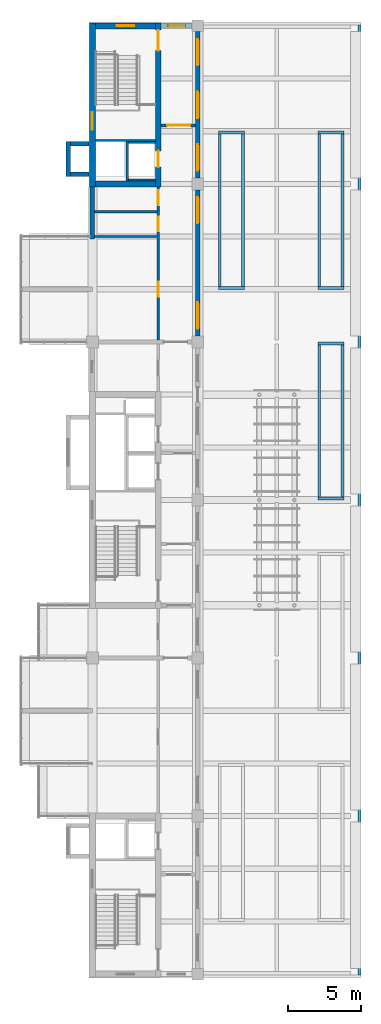
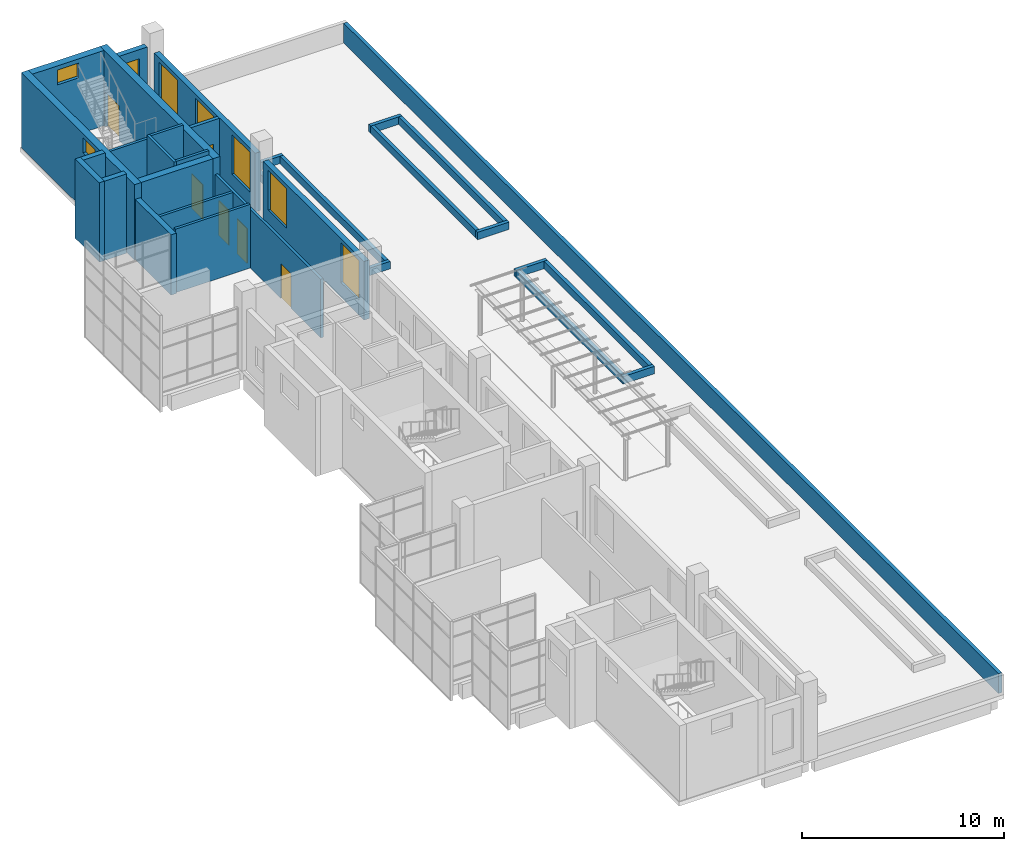
# One storey, part 14 of 16: 32 walls, 8 windows, 6 doors, 14 openings.
"""IFC4 building model written with IfcOpenShell, lengths in metres."""

from ifc_helpers import new_model, si_unit, direction, frame, frame_2d, origin, place, context, subcontext, project, spatial, rectangle, extrude, material, layer, layer_set, type_object, element, fill, save


model = new_model("IFC4")

# Units and contexts
model_context = context("Model", 3, precision=1e-05, world=origin(), true_north=direction((0.0, 1.0)))
body_context = subcontext(model_context, "Body", "Model", "MODEL_VIEW")
ifc_project = project(units=[si_unit("LENGTHUNIT", "METRE"), si_unit("AREAUNIT", "SQUARE_METRE"), si_unit("VOLUMEUNIT", "CUBIC_METRE"), si_unit("PLANEANGLEUNIT", "RADIAN"), si_unit("MASSUNIT", "GRAM", prefix="KILO")], contexts=[model_context])

# Site, building, storey
site_placement = place(None, origin())
site = spatial("IfcSite", under=ifc_project, at=site_placement, CompositionType="ELEMENT")
building_placement = place(site_placement, origin())
building = spatial("IfcBuilding", under=site, at=building_placement, Name="Basin Gate Institute", CompositionType="ELEMENT")
storey_placement = place(building_placement, frame((0.0, 0.0, 65.39990234375)))
storey = spatial("IfcBuildingStorey", under=building, at=storey_placement, Name="L13", CompositionType="ELEMENT", Elevation=65.39990234375)

# Wall, opening, door
ifc_material_1 = material(Name="Fire-rated masonry", Category="masonry")
ifc_layer_1 = layer(ifc_material_1, 0.199951171875)
ifc_layer_set_1 = layer_set([ifc_layer_1], Name="Enclosure wall PW2 200 EI 60")
wall_type_1 = type_object("IfcWallType", Name="Enclosure wall PW2 200 EI 60", PredefinedType="PARTITIONING", material=ifc_layer_set_1)
wall_1_placement = place(storey_placement, frame((65.89990234375, 93.10009765625, 0.0), z_axis=(0.0, 0.0, 1.0), x_axis=(1.0, 0.0, 0.0)))
wall_1 = element("IfcWall", 1, at=wall_1_placement, inside=storey, type_object=wall_type_1, material=ifc_layer_set_1, Name="Smoke lobby enclosure wall PW2 L13", PredefinedType="PARTITIONING", context=body_context, shape_type="SweptSolid", body=[
    extrude(rectangle(XDim=2.35009765625, YDim=0.199951171875, at=frame_2d((1.175048828125, 0.0))), origin(), (0.0, 0.0, 1.0), 3.550048828125),
])
opening_1_placement = place(wall_1_placement, frame((0.39990234375, 0.0, 0.0)))
opening_1 = element("IfcOpeningElement", 2, at=opening_1_placement, cuts=wall_1, Name="Opening DR515", PredefinedType="OPENING", context=body_context, shape_type="SweptSolid", body=[
    extrude(rectangle(XDim=1.60009765625, YDim=2.10009765625, at=frame_2d((0.800048828125, 1.050048828125))), frame((0.0, 0.10986328125, 0.0), z_axis=(0.0, -1.0, 0.0), x_axis=(1.0, 0.0, 0.0)), (0.0, 0.0, 1.0), 0.219970703125),
])
ifc_material_2 = material(Name="Steel fire door", Category="steel")
door_type_1 = type_object("IfcDoorType", Name="FD60 Smoke lobby door pair D8", OperationType="DOUBLE_DOOR_SINGLE_SWING", PredefinedType="DOOR", material=ifc_material_2)
door_1_placement = place(opening_1_placement, origin())
door_1 = element("IfcDoor", 3, at=door_1_placement, inside=storey, type_object=door_type_1, material=ifc_material_2, Name="Smoke lobby door SS3 L13", OperationType="DOUBLE_DOOR_SINGLE_SWING", OverallHeight=2.10009765625, OverallWidth=1.60009765625, PredefinedType="DOOR", context=body_context, shape_type="SweptSolid", body=[
    extrude(rectangle(XDim=1.60009765625, YDim=2.10009765625, at=frame_2d((0.800048828125, 1.050048828125))), frame((0.0, 0.02490234375, 0.0), z_axis=(0.0, -1.0, 0.0), x_axis=(1.0, 0.0, 0.0)), (0.0, 0.0, 1.0), 0.050048828125),
])
fill(opening_1, door_1)

# Wall
ifc_material_3 = material(Name="Aluminium-faced insulated panel wall", Category="aluminium")
ifc_layer_2 = layer(ifc_material_3, 0.300048828125)
ifc_layer_set_2 = layer_set([ifc_layer_2], Name="External wall EW1 EI 120")
wall_type_2 = type_object("IfcWallType", Name="External wall EW1 EI 120", PredefinedType="STANDARD", material=ifc_layer_set_2)
wall_2_placement = place(storey_placement, frame((61.199951171875, 85.35009765625, 0.0), z_axis=(0.0, 0.0, 1.0), x_axis=(0.0, 1.0, 0.0)))
element("IfcWall", 4, at=wall_2_placement, inside=storey, type_object=wall_type_2, material=ifc_layer_set_2, Name="External wall W facade L13 2", PredefinedType="STANDARD", context=body_context, shape_type="SweptSolid", body=[
    extrude(rectangle(XDim=3.5498046875, YDim=0.300048828125, at=frame_2d((1.77490234375, 0.0))), origin(), (0.0, 0.0, 1.0), 3.650146484375),
])

# Wall, opening, window
wall_3_placement = place(storey_placement, frame((65.89990234375, 99.89990234375, 0.0), z_axis=(0.0, 0.0, 1.0), x_axis=(1.0, 0.0, 0.0)))
wall_3 = element("IfcWall", 5, at=wall_3_placement, inside=storey, type_object=wall_type_2, material=ifc_layer_set_2, Name="External end wall W wing north L13 1", PredefinedType="STANDARD", context=body_context, shape_type="SweptSolid", body=[
    extrude(rectangle(XDim=2.10009765625, YDim=0.300048828125, at=frame_2d((1.050048828125, 0.0))), origin(), (0.0, 0.0, 1.0), 3.85009765625),
])
opening_2_placement = place(wall_3_placement, frame((0.449951171875, 0.0, 0.89990234375)))
opening_2 = element("IfcOpeningElement", 6, at=opening_2_placement, cuts=wall_3, Name="Opening WN4", PredefinedType="OPENING", context=body_context, shape_type="SweptSolid", body=[
    extrude(rectangle(XDim=1.199951171875, YDim=2.39990234375, at=frame_2d((0.60009765625, 1.199951171875))), frame((0.0, 0.16015625, 0.0), z_axis=(0.0, -1.0, 0.0), x_axis=(1.0, 0.0, 0.0)), (0.0, 0.0, 1.0), 0.320068359375),
])
ifc_material_4 = material(Name="Aluminium-framed double glazing", Category="aluminium")
window_type_1 = type_object("IfcWindowType", Name="Corridor end window WN4", PartitioningType="SINGLE_PANEL", PredefinedType="WINDOW", material=ifc_material_4)
window_1_placement = place(opening_2_placement, origin())
window_1 = element("IfcWindow", 7, at=window_1_placement, inside=storey, type_object=window_type_1, material=ifc_material_4, Name="Corridor end window W wing N L13", OverallHeight=2.39990234375, OverallWidth=1.199951171875, PartitioningType="SINGLE_PANEL", PredefinedType="WINDOW", context=body_context, shape_type="SweptSolid", body=[
    extrude(rectangle(XDim=1.199951171875, YDim=2.39990234375, at=frame_2d((0.60009765625, 1.199951171875))), frame((0.0, 0.030029296875, 0.0), z_axis=(0.0, -1.0, 0.0), x_axis=(1.0, 0.0, 0.0)), (0.0, 0.0, 1.0), 0.06005859375),
])
fill(opening_2, window_1)

# Wall, openings, windows
wall_4_placement = place(storey_placement, frame((68.39990234375, 78.699951171875, 0.0), z_axis=(0.0, 0.0, 1.0), x_axis=(0.0, 1.0, 0.0)))
wall_4 = element("IfcWall", 8, at=wall_4_placement, inside=storey, type_object=wall_type_2, material=ifc_layer_set_2, Name="External wall W step face L13 bay 5", PredefinedType="STANDARD", context=body_context, shape_type="SweptSolid", body=[
    extrude(rectangle(XDim=10.0, YDim=0.300048828125, at=frame_2d((5.0, 0.0))), origin(), (0.0, 0.0, 1.0), 3.550048828125),
])
opening_3_placement = place(wall_4_placement, frame((0.5, 0.0, 0.89990234375)))
opening_3 = element("IfcOpeningElement", 9, at=opening_3_placement, cuts=wall_4, Name="Opening WN1", PredefinedType="OPENING", context=body_context, shape_type="SweptSolid", body=[
    extrude(rectangle(XDim=1.800048828125, YDim=2.39990234375, at=frame_2d((0.89990234375, 1.199951171875))), frame((0.0, 0.16015625, 0.0), z_axis=(0.0, -1.0, 0.0), x_axis=(1.0, 0.0, 0.0)), (0.0, 0.0, 1.0), 0.320068359375),
])
opening_4_placement = place(wall_4_placement, frame((7.699951171875, 0.0, 0.89990234375)))
opening_4 = element("IfcOpeningElement", 10, at=opening_4_placement, cuts=wall_4, Name="Opening WN1", PredefinedType="OPENING", context=body_context, shape_type="SweptSolid", body=[
    extrude(rectangle(XDim=1.800048828125, YDim=2.39990234375, at=frame_2d((0.89990234375, 1.199951171875))), frame((0.0, 0.16015625, 0.0), z_axis=(0.0, -1.0, 0.0), x_axis=(1.0, 0.0, 0.0)), (0.0, 0.0, 1.0), 0.320068359375),
])
ifc_material_5 = material(Name="Aluminium-framed double glazing", Category="aluminium")
window_type_2 = type_object("IfcWindowType", Name="Facade window WN1", PartitioningType="SINGLE_PANEL", PredefinedType="WINDOW", material=ifc_material_5)
window_2_placement = place(opening_3_placement, origin())
window_2 = element("IfcWindow", 11, at=window_2_placement, inside=storey, type_object=window_type_2, material=ifc_material_5, Name="Facade window W step face L13 bay 5.1", OverallHeight=2.39990234375, OverallWidth=1.800048828125, PartitioningType="SINGLE_PANEL", PredefinedType="WINDOW", context=body_context, shape_type="SweptSolid", body=[
    extrude(rectangle(XDim=1.800048828125, YDim=2.39990234375, at=frame_2d((0.89990234375, 1.199951171875))), frame((0.0, 0.030029296875, 0.0), z_axis=(0.0, -1.0, 0.0), x_axis=(1.0, 0.0, 0.0)), (0.0, 0.0, 1.0), 0.06005859375),
])
fill(opening_3, window_2)
window_3_placement = place(opening_4_placement, origin())
window_3 = element("IfcWindow", 12, at=window_3_placement, inside=storey, type_object=window_type_2, material=ifc_material_5, Name="Facade window W step face L13 bay 5.3", OverallHeight=2.39990234375, OverallWidth=1.800048828125, PartitioningType="SINGLE_PANEL", PredefinedType="WINDOW", context=body_context, shape_type="SweptSolid", body=[
    extrude(rectangle(XDim=1.800048828125, YDim=2.39990234375, at=frame_2d((0.89990234375, 1.199951171875))), frame((0.0, 0.030029296875, 0.0), z_axis=(0.0, -1.0, 0.0), x_axis=(1.0, 0.0, 0.0)), (0.0, 0.0, 1.0), 0.06005859375),
])
fill(opening_4, window_3)

ifc_material_6 = material(Name="Aluminium-faced insulated panel wall", Category="aluminium")
ifc_layer_3 = layer(ifc_material_6, 0.300048828125)
ifc_layer_set_3 = layer_set([ifc_layer_3], Name="External wall EW5 EI 60")
wall_type_3 = type_object("IfcWallType", Name="External wall EW5 EI 60", PredefinedType="STANDARD", material=ifc_layer_set_3)
wall_5_placement = place(storey_placement, frame((68.39990234375, 89.5, 0.0), z_axis=(0.0, 0.0, 1.0), x_axis=(0.0, 1.0, 0.0)))
wall_5 = element("IfcWall", 13, at=wall_5_placement, inside=storey, type_object=wall_type_3, material=ifc_layer_set_3, Name="External wall W step face L13 bay 6", PredefinedType="STANDARD", context=body_context, shape_type="SweptSolid", body=[
    extrude(rectangle(XDim=10.0, YDim=0.300048828125, at=frame_2d((5.0, 0.0))), origin(), (0.0, 0.0, 1.0), 3.550048828125),
])
opening_5_placement = place(wall_5_placement, frame((0.5, 0.0, 0.89990234375)))
opening_5 = element("IfcOpeningElement", 14, at=opening_5_placement, cuts=wall_5, Name="Opening WN6", PredefinedType="OPENING", context=body_context, shape_type="SweptSolid", body=[
    extrude(rectangle(XDim=1.800048828125, YDim=2.39990234375, at=frame_2d((0.89990234375, 1.199951171875))), frame((0.0, 0.16015625, 0.0), z_axis=(0.0, -1.0, 0.0), x_axis=(1.0, 0.0, 0.0)), (0.0, 0.0, 1.0), 0.320068359375),
])
opening_6_placement = place(wall_5_placement, frame((4.10009765625, 0.0, 0.89990234375)))
opening_6 = element("IfcOpeningElement", 15, at=opening_6_placement, cuts=wall_5, Name="Opening WN6", PredefinedType="OPENING", context=body_context, shape_type="SweptSolid", body=[
    extrude(rectangle(XDim=1.800048828125, YDim=2.39990234375, at=frame_2d((0.89990234375, 1.199951171875))), frame((0.0, 0.16015625, 0.0), z_axis=(0.0, -1.0, 0.0), x_axis=(1.0, 0.0, 0.0)), (0.0, 0.0, 1.0), 0.320068359375),
])
opening_7_placement = place(wall_5_placement, frame((7.699951171875, 0.0, 0.89990234375)))
opening_7 = element("IfcOpeningElement", 16, at=opening_7_placement, cuts=wall_5, Name="Opening WN6", PredefinedType="OPENING", context=body_context, shape_type="SweptSolid", body=[
    extrude(rectangle(XDim=1.800048828125, YDim=2.39990234375, at=frame_2d((0.89990234375, 1.199951171875))), frame((0.0, 0.16015625, 0.0), z_axis=(0.0, -1.0, 0.0), x_axis=(1.0, 0.0, 0.0)), (0.0, 0.0, 1.0), 0.320068359375),
])
ifc_material_7 = material(Name="Fire-resistant glazing in steel-free frame", Category="steel")
window_type_3 = type_object("IfcWindowType", Name="Fire-rated fixed step window WN6", PartitioningType="SINGLE_PANEL", PredefinedType="WINDOW", material=ifc_material_7)
window_4_placement = place(opening_5_placement, origin())
window_4 = element("IfcWindow", 17, at=window_4_placement, inside=storey, type_object=window_type_3, material=ifc_material_7, Name="Fire-rated fixed step window W step face L13 bay 6.1", OverallHeight=2.39990234375, OverallWidth=1.800048828125, PartitioningType="SINGLE_PANEL", PredefinedType="WINDOW", context=body_context, shape_type="SweptSolid", body=[
    extrude(rectangle(XDim=1.800048828125, YDim=2.39990234375, at=frame_2d((0.89990234375, 1.199951171875))), frame((0.0, 0.030029296875, 0.0), z_axis=(0.0, -1.0, 0.0), x_axis=(1.0, 0.0, 0.0)), (0.0, 0.0, 1.0), 0.06005859375),
])
fill(opening_5, window_4)
window_5_placement = place(opening_6_placement, origin())
window_5 = element("IfcWindow", 18, at=window_5_placement, inside=storey, type_object=window_type_3, material=ifc_material_7, Name="Fire-rated fixed step window W step face L13 bay 6.2", OverallHeight=2.39990234375, OverallWidth=1.800048828125, PartitioningType="SINGLE_PANEL", PredefinedType="WINDOW", context=body_context, shape_type="SweptSolid", body=[
    extrude(rectangle(XDim=1.800048828125, YDim=2.39990234375, at=frame_2d((0.89990234375, 1.199951171875))), frame((0.0, 0.030029296875, 0.0), z_axis=(0.0, -1.0, 0.0), x_axis=(1.0, 0.0, 0.0)), (0.0, 0.0, 1.0), 0.06005859375),
])
fill(opening_6, window_5)
window_6_placement = place(opening_7_placement, origin())
window_6 = element("IfcWindow", 19, at=window_6_placement, inside=storey, type_object=window_type_3, material=ifc_material_7, Name="Fire-rated fixed step window W step face L13 bay 6.3", OverallHeight=2.39990234375, OverallWidth=1.800048828125, PartitioningType="SINGLE_PANEL", PredefinedType="WINDOW", context=body_context, shape_type="SweptSolid", body=[
    extrude(rectangle(XDim=1.800048828125, YDim=2.39990234375, at=frame_2d((0.89990234375, 1.199951171875))), frame((0.0, 0.030029296875, 0.0), z_axis=(0.0, -1.0, 0.0), x_axis=(1.0, 0.0, 0.0)), (0.0, 0.0, 1.0), 0.06005859375),
])
fill(opening_7, window_6)

# Wall
ifc_material_8 = material(Name="Concrete 40 MPa", Category="concrete")
ifc_layer_4 = layer(ifc_material_8, 0.199951171875)
ifc_layer_set_4 = layer_set([ifc_layer_4], Name="Concrete 40 MPa")
wall_type_4 = type_object("IfcWallType", Name="Parapet wall PA1", PredefinedType="PARAPET", material=ifc_layer_set_4)
wall_6_placement = place(storey_placement, frame((79.449951171875, 99.949951171875, 0.0), z_axis=(0.0, 0.0, 1.0), x_axis=(0.0, -1.0, 0.0)))
element("IfcWall", 20, at=wall_6_placement, inside=storey, type_object=wall_type_4, material=ifc_layer_set_4, Name="Parapet wall PA1 L13 W2", PredefinedType="PARAPET", context=body_context, shape_type="SweptSolid", body=[
    extrude(rectangle(XDim=64.89990234375, YDim=0.199951171875, at=frame_2d((32.449951171875, 0.0))), origin(), (0.0, 0.0, 1.0), 1.2001953125),
])

# Wall, openings, doors
ifc_material_9 = material(Name="Gypsum board on steel stud", Category="steel")
ifc_layer_5 = layer(ifc_material_9, 0.14990234375)
ifc_layer_set_5 = layer_set([ifc_layer_5], Name="Gypsum board on steel stud")
wall_type_5 = type_object("IfcWallType", Name="Partition PW1 150 EI 60", PredefinedType="PARTITIONING", material=ifc_layer_set_5)
wall_7_placement = place(storey_placement, frame((65.699951171875, 78.449951171875, 0.0), z_axis=(0.0, 0.0, 1.0), x_axis=(0.0, 1.0, 0.0)))
wall_7 = element("IfcWall", 21, at=wall_7_placement, inside=storey, type_object=wall_type_5, material=ifc_layer_set_5, Name="Corridor wall PW1 L13", PredefinedType="PARTITIONING", context=body_context, shape_type="SweptSolid", body=[
    extrude(rectangle(XDim=10.449951171875, YDim=0.14990234375, at=frame_2d((5.22509765625, 0.0))), origin(), (0.0, 0.0, 1.0), 3.550048828125),
])
opening_8_placement = place(wall_7_placement, frame((7.39990234375, 0.0, 0.0)))
opening_8 = element("IfcOpeningElement", 22, at=opening_8_placement, cuts=wall_7, Name="Opening DR505", PredefinedType="OPENING", context=body_context, shape_type="SweptSolid", body=[
    extrude(rectangle(XDim=1.0, YDim=2.10009765625, at=frame_2d((0.5, 1.050048828125))), frame((0.0, 0.0849609375, 0.0), z_axis=(0.0, -1.0, 0.0), x_axis=(1.0, 0.0, 0.0)), (0.0, 0.0, 1.0), 0.169921875),
])
opening_9_placement = place(wall_7_placement, frame((9.199951171875, 0.0, 0.0)))
opening_9 = element("IfcOpeningElement", 23, at=opening_9_placement, cuts=wall_7, Name="Opening DR508", PredefinedType="OPENING", context=body_context, shape_type="SweptSolid", body=[
    extrude(rectangle(XDim=1.0, YDim=2.10009765625, at=frame_2d((0.5, 1.050048828125))), frame((0.0, 0.0849609375, 0.0), z_axis=(0.0, -1.0, 0.0), x_axis=(1.0, 0.0, 0.0)), (0.0, 0.0, 1.0), 0.169921875),
])
opening_10_placement = place(wall_7_placement, frame((2.949951171875, 0.0, 0.0)))
opening_10 = element("IfcOpeningElement", 24, at=opening_10_placement, cuts=wall_7, Name="Opening DR509", PredefinedType="OPENING", context=body_context, shape_type="SweptSolid", body=[
    extrude(rectangle(XDim=1.0, YDim=2.10009765625, at=frame_2d((0.5, 1.050048828125))), frame((0.0, 0.0849609375, 0.0), z_axis=(0.0, -1.0, 0.0), x_axis=(1.0, 0.0, 0.0)), (0.0, 0.0, 1.0), 0.169921875),
])
ifc_material_10 = material(Name="Timber fire door", Category="wood")
door_type_2 = type_object("IfcDoorType", Name="FD30 Office door D1", OperationType="NOTDEFINED", PredefinedType="DOOR", material=ifc_material_10)
door_2_placement = place(opening_10_placement, origin())
door_2 = element("IfcDoor", 25, at=door_2_placement, inside=storey, type_object=door_type_2, material=ifc_material_10, Name="Door to Meeting Room 1304 L13", OperationType="SINGLE_SWING_LEFT", OverallHeight=2.10009765625, OverallWidth=1.0, PredefinedType="DOOR", context=body_context, shape_type="SweptSolid", body=[
    extrude(rectangle(XDim=1.0, YDim=2.10009765625, at=frame_2d((0.5, 1.050048828125))), frame((0.0, 0.02490234375, 0.0), z_axis=(0.0, -1.0, 0.0), x_axis=(1.0, 0.0, 0.0)), (0.0, 0.0, 1.0), 0.050048828125),
])
fill(opening_10, door_2)
ifc_material_11 = material(Name="Timber fire door", Category="wood")
door_type_3 = type_object("IfcDoorType", Name="FD30 Toilet door D3", OperationType="NOTDEFINED", PredefinedType="DOOR", material=ifc_material_11)
door_3_placement = place(opening_8_placement, origin())
door_3 = element("IfcDoor", 26, at=door_3_placement, inside=storey, type_object=door_type_3, material=ifc_material_11, Name="Door to Accessible WC L13", OperationType="SINGLE_SWING_RIGHT", OverallHeight=2.10009765625, OverallWidth=1.0, PredefinedType="DOOR", context=body_context, shape_type="SweptSolid", body=[
    extrude(rectangle(XDim=1.0, YDim=2.10009765625, at=frame_2d((0.5, 1.050048828125))), frame((0.0, 0.02490234375, 0.0), z_axis=(0.0, -1.0, 0.0), x_axis=(1.0, 0.0, 0.0)), (0.0, 0.0, 1.0), 0.050048828125),
])
fill(opening_8, door_3)
door_4_placement = place(opening_9_placement, origin())
door_4 = element("IfcDoor", 27, at=door_4_placement, inside=storey, type_object=door_type_3, material=ifc_material_11, Name="Door to Male WC L13", OperationType="SINGLE_SWING_RIGHT", OverallHeight=2.10009765625, OverallWidth=1.0, PredefinedType="DOOR", context=body_context, shape_type="SweptSolid", body=[
    extrude(rectangle(XDim=1.0, YDim=2.10009765625, at=frame_2d((0.5, 1.050048828125))), frame((0.0, 0.02490234375, 0.0), z_axis=(0.0, -1.0, 0.0), x_axis=(1.0, 0.0, 0.0)), (0.0, 0.0, 1.0), 0.050048828125),
])
fill(opening_9, door_4)

# Walls
ifc_material_12 = material(Name="Gypsum board on steel stud", Category="steel")
ifc_layer_6 = layer(ifc_material_12, 0.14990234375)
ifc_layer_set_6 = layer_set([ifc_layer_6], Name="Gypsum board on steel stud")
wall_type_6 = type_object("IfcWallType", Name="Partition PW4 150", PredefinedType="PARTITIONING", material=ifc_layer_set_6)
wall_8_placement = place(storey_placement, frame((61.35009765625, 85.5, 0.0), z_axis=(0.0, 0.0, 1.0), x_axis=(1.0, 0.0, 0.0)))
element("IfcWall", 28, at=wall_8_placement, inside=storey, type_object=wall_type_6, material=ifc_layer_set_6, Name="Toilet partition PW4 L13", PredefinedType="PARTITIONING", context=body_context, shape_type="SweptSolid", body=[
    extrude(rectangle(XDim=4.27490234375, YDim=0.14990234375, at=frame_2d((2.137451171875, 0.0))), origin(), (0.0, 0.0, 1.0), 3.85009765625),
])
wall_9_placement = place(storey_placement, frame((61.35009765625, 87.199951171875, 0.0), z_axis=(0.0, 0.0, 1.0), x_axis=(1.0, 0.0, 0.0)))
element("IfcWall", 29, at=wall_9_placement, inside=storey, type_object=wall_type_6, material=ifc_layer_set_6, Name="Toilet partition PW4 L13", PredefinedType="PARTITIONING", context=body_context, shape_type="SweptSolid", body=[
    extrude(rectangle(XDim=4.27490234375, YDim=0.14990234375, at=frame_2d((2.137451171875, 0.0))), origin(), (0.0, 0.0, 1.0), 3.550048828125),
])
ifc_material_13 = material(Name="Concrete 40 MPa", Category="concrete")
ifc_layer_7 = layer(ifc_material_13, 0.199951171875)
ifc_layer_set_7 = layer_set([ifc_layer_7], Name="Concrete 40 MPa")
wall_type_7 = type_object("IfcWallType", Name="Planter wall PT1", PredefinedType="SOLIDWALL", material=ifc_layer_set_7)
for number, where, z_axis, x_axis, name in (
    (30, (76.60009765625, 67.60009765625, 0.0), (0.0, 0.0, 1.0), (1.0, 0.0, 0.0), "Planter wall PT1 W3"),
    (31, (76.60009765625, 78.199951171875, 0.0), (0.0, 0.0, 1.0), (1.0, 0.0, 0.0), "Planter wall PT1 W3"),
):
    element("IfcWall", number, at=place(storey_placement, frame(where, z_axis=z_axis, x_axis=x_axis)), inside=storey, type_object=wall_type_7, material=ifc_layer_set_7, Name=name, PredefinedType="SOLIDWALL", context=body_context, shape_type="SweptSolid", body=[
        extrude(rectangle(XDim=1.7998046875, YDim=0.199951171875, at=frame_2d((0.89990234375, 0.0))), origin(), (0.0, 0.0, 1.0), 0.4501953125),
    ])
for number, where, z_axis, x_axis, name in (
    (32, (76.699951171875, 67.699951171875, 0.0), (0.0, 0.0, 1.0), (0.0, 1.0, 0.0), "Planter wall PT1 W3"),
    (33, (78.300048828125, 67.699951171875, 0.0), (0.0, 0.0, 1.0), (0.0, 1.0, 0.0), "Planter wall PT1 W3"),
):
    element("IfcWall", number, at=place(storey_placement, frame(where, z_axis=z_axis, x_axis=x_axis)), inside=storey, type_object=wall_type_7, material=ifc_layer_set_7, Name=name, PredefinedType="SOLIDWALL", context=body_context, shape_type="SweptSolid", body=[
        extrude(rectangle(XDim=10.400146484375, YDim=0.199951171875, at=frame_2d((5.2001953125, 0.0))), origin(), (0.0, 0.0, 1.0), 0.4501953125),
    ])
for number, where, z_axis, x_axis, name in (
    (34, (76.60009765625, 82.0, 0.0), (0.0, 0.0, 1.0), (1.0, 0.0, 0.0), "Planter wall PT1 W4"),
    (35, (76.60009765625, 92.60009765625, 0.0), (0.0, 0.0, 1.0), (1.0, 0.0, 0.0), "Planter wall PT1 W4"),
):
    element("IfcWall", number, at=place(storey_placement, frame(where, z_axis=z_axis, x_axis=x_axis)), inside=storey, type_object=wall_type_7, material=ifc_layer_set_7, Name=name, PredefinedType="SOLIDWALL", context=body_context, shape_type="SweptSolid", body=[
        extrude(rectangle(XDim=1.7998046875, YDim=0.199951171875, at=frame_2d((0.89990234375, 0.0))), origin(), (0.0, 0.0, 1.0), 0.4501953125),
    ])
for number, where, z_axis, x_axis, name in (
    (36, (76.699951171875, 82.10009765625, 0.0), (0.0, 0.0, 1.0), (0.0, 1.0, 0.0), "Planter wall PT1 W4"),
    (37, (78.300048828125, 82.10009765625, 0.0), (0.0, 0.0, 1.0), (0.0, 1.0, 0.0), "Planter wall PT1 W4"),
):
    element("IfcWall", number, at=place(storey_placement, frame(where, z_axis=z_axis, x_axis=x_axis)), inside=storey, type_object=wall_type_7, material=ifc_layer_set_7, Name=name, PredefinedType="SOLIDWALL", context=body_context, shape_type="SweptSolid", body=[
        extrude(rectangle(XDim=10.39990234375, YDim=0.199951171875, at=frame_2d((5.199951171875, 0.0))), origin(), (0.0, 0.0, 1.0), 0.4501953125),
    ])
for number, where, z_axis, x_axis, name in (
    (38, (69.800048828125, 82.0, 0.0), (0.0, 0.0, 1.0), (1.0, 0.0, 0.0), "Planter wall PT1 W6"),
    (39, (69.800048828125, 92.60009765625, 0.0), (0.0, 0.0, 1.0), (1.0, 0.0, 0.0), "Planter wall PT1 W6"),
):
    element("IfcWall", number, at=place(storey_placement, frame(where, z_axis=z_axis, x_axis=x_axis)), inside=storey, type_object=wall_type_7, material=ifc_layer_set_7, Name=name, PredefinedType="SOLIDWALL", context=body_context, shape_type="SweptSolid", body=[
        extrude(rectangle(XDim=1.800048828125, YDim=0.199951171875, at=frame_2d((0.89990234375, 0.0))), origin(), (0.0, 0.0, 1.0), 0.4501953125),
    ])
for number, where, z_axis, x_axis, name in (
    (40, (69.89990234375, 82.10009765625, 0.0), (0.0, 0.0, 1.0), (0.0, 1.0, 0.0), "Planter wall PT1 W6"),
    (41, (71.5, 82.10009765625, 0.0), (0.0, 0.0, 1.0), (0.0, 1.0, 0.0), "Planter wall PT1 W6"),
):
    element("IfcWall", number, at=place(storey_placement, frame(where, z_axis=z_axis, x_axis=x_axis)), inside=storey, type_object=wall_type_7, material=ifc_layer_set_7, Name=name, PredefinedType="SOLIDWALL", context=body_context, shape_type="SweptSolid", body=[
        extrude(rectangle(XDim=10.39990234375, YDim=0.199951171875, at=frame_2d((5.199951171875, 0.0))), origin(), (0.0, 0.0, 1.0), 0.4501953125),
    ])
ifc_material_14 = material(Name="Concrete 40 MPa", Category="concrete")
ifc_layer_8 = layer(ifc_material_14, 0.14990234375)
ifc_layer_set_8 = layer_set([ifc_layer_8], Name="Concrete 40 MPa")
wall_type_8 = type_object("IfcWallType", Name="Wall LS1 lift shaft enclosure R120", PredefinedType="SOLIDWALL", material=ifc_layer_set_8)
wall_10_placement = place(storey_placement, frame((63.574951171875, 92.0, 0.0), z_axis=(0.0, 0.0, 1.0), x_axis=(0.0, -1.0, 0.0)))
element("IfcWall", 42, at=wall_10_placement, inside=storey, type_object=wall_type_8, material=ifc_layer_set_8, Name="Lift shaft enclosure LP3 L13 UL", PredefinedType="SOLIDWALL", context=body_context, shape_type="SweptSolid", body=[
    extrude(rectangle(XDim=2.699951171875, YDim=0.14990234375, at=frame_2d((1.35009765625, 0.0))), origin(), (0.0, 0.0, 1.0), 4.800048828125),
])
for number, where, z_axis, x_axis, name in (
    (43, (63.64990234375, 91.925048828125, 0.0), (0.0, 0.0, 1.0), (1.0, 0.0, 0.0), "Lift shaft enclosure LP3 L13 RL"),
    (44, (63.64990234375, 89.375, 0.0), (0.0, 0.0, 1.0), (1.0, 0.0, 0.0), "Lift shaft enclosure LP3 L13 RH"),
):
    element("IfcWall", number, at=place(storey_placement, frame(where, z_axis=z_axis, x_axis=x_axis)), inside=storey, type_object=wall_type_8, material=ifc_layer_set_8, Name=name, PredefinedType="SOLIDWALL", context=body_context, shape_type="SweptSolid", body=[
        extrude(rectangle(XDim=1.85009765625, YDim=0.14990234375, at=frame_2d((0.925048828125, 0.0))), origin(), (0.0, 0.0, 1.0), 4.800048828125),
    ])
ifc_material_15 = material(Name="Concrete 40 MPa", Category="concrete")
ifc_layer_9 = layer(ifc_material_15, 0.14990234375)
ifc_layer_set_9 = layer_set([ifc_layer_9], Name="Concrete 40 MPa")
wall_type_9 = type_object("IfcWallType", Name="Wall SE1 stair enclosure R120", PredefinedType="SOLIDWALL", material=ifc_layer_set_9)
wall_11_placement = place(storey_placement, frame((61.39990234375, 92.074951171875, 0.0), z_axis=(0.0, 0.0, 1.0), x_axis=(1.0, 0.0, 0.0)))
element("IfcWall", 45, at=wall_11_placement, inside=storey, type_object=wall_type_9, material=ifc_layer_set_9, Name="Stair enclosure wall ST-WN L13", PredefinedType="SOLIDWALL", context=body_context, shape_type="SweptSolid", body=[
    extrude(rectangle(XDim=4.10009765625, YDim=0.14990234375, at=frame_2d((2.050048828125, 0.0))), origin(), (0.0, 0.0, 1.0), 4.550048828125),
])
ifc_material_16 = material(Name="Concrete 50 MPa", Category="concrete")
ifc_layer_10 = layer(ifc_material_16, 0.300048828125)
ifc_layer_set_10 = layer_set([ifc_layer_10], Name="Concrete 50 MPa")
wall_type_10 = type_object("IfcWallType", Name="Wall SK1 R120", PredefinedType="SHEAR", material=ifc_layer_set_10)
wall_12_placement = place(storey_placement, frame((59.550048828125, 89.60009765625, 0.0), z_axis=(0.0, 0.0, 1.0), x_axis=(0.0, 1.0, 0.0)))
element("IfcWall", 46, at=wall_12_placement, inside=storey, type_object=wall_type_10, material=ifc_layer_set_10, Name="Spine riser stack wall SK1 WN F L13", PredefinedType="SHEAR", context=body_context, shape_type="SweptSolid", body=[
    extrude(rectangle(XDim=2.39990234375, YDim=0.300048828125, at=frame_2d((1.199951171875, 0.0))), origin(), (0.0, 0.0, 1.0), 4.800048828125),
])
for number, where, z_axis, x_axis, name in (
    (47, (60.949951171875, 89.75, 0.0), (0.0, 0.0, 1.0), (-1.0, 0.0, 0.0), "Spine riser stack wall SK1 WN A L13"),
    (48, (60.949951171875, 91.85009765625, 0.0), (0.0, 0.0, 1.0), (-1.0, 0.0, 0.0), "Spine riser stack wall SK1 WN B L13"),
):
    element("IfcWall", number, at=place(storey_placement, frame(where, z_axis=z_axis, x_axis=x_axis)), inside=storey, type_object=wall_type_10, material=ifc_layer_set_10, Name=name, PredefinedType="SHEAR", context=body_context, shape_type="SweptSolid", body=[
        extrude(rectangle(XDim=1.25, YDim=0.300048828125, at=frame_2d((0.625, 0.0))), origin(), (0.0, 0.0, 1.0), 4.800048828125),
    ])

# Wall, opening, window
ifc_material_17 = material(Name="Concrete 50 MPa", Category="concrete")
ifc_layer_11 = layer(ifc_material_17, 0.39990234375)
ifc_layer_set_11 = layer_set([ifc_layer_11], Name="Concrete 50 MPa")
wall_type_11 = type_object("IfcWallType", Name="Wall SW2 R120", PredefinedType="SHEAR", material=ifc_layer_set_11)
wall_13_placement = place(storey_placement, frame((61.199951171875, 88.89990234375, 0.0), z_axis=(0.0, 0.0, 1.0), x_axis=(0.0, 1.0, 0.0)))
wall_13 = element("IfcWall", 49, at=wall_13_placement, inside=storey, type_object=wall_type_11, material=ifc_layer_set_11, Name="WALL/L13/WN/L", PredefinedType="SHEAR", context=body_context, shape_type="SweptSolid", body=[
    extrude(rectangle(XDim=11.2001953125, YDim=0.39990234375, at=frame_2d((5.60009765625, 0.0))), origin(), (0.0, 0.0, 1.0), 4.550048828125),
])
opening_11_placement = place(wall_13_placement, frame((3.889892578125, 0.0, 3.39990234375)))
opening_11 = element("IfcOpeningElement", 50, at=opening_11_placement, cuts=wall_13, Name="Opening WT2", PredefinedType="OPENING", context=body_context, shape_type="SweptSolid", body=[
    extrude(rectangle(XDim=1.199951171875, YDim=0.89990234375, at=frame_2d((0.60009765625, 0.449951171875))), frame((0.0, 0.2099609375, 0.0), z_axis=(0.0, -1.0, 0.0), x_axis=(1.0, 0.0, 0.0)), (0.0, 0.0, 1.0), 0.419921875),
])
ifc_material_18 = material(Name="Fire-resistant glazing in steel-free frame", Category="steel")
window_type_4 = type_object("IfcWindowType", Name="Rated stair window EI 120 WT2", PartitioningType="SINGLE_PANEL", PredefinedType="WINDOW", material=ifc_material_18)
window_7_placement = place(opening_11_placement, origin())
window_7 = element("IfcWindow", 51, at=window_7_placement, inside=storey, type_object=window_type_4, material=ifc_material_18, Name="Rated stair window EI 120 WN landing L13", OverallHeight=0.89990234375, OverallWidth=1.199951171875, PartitioningType="SINGLE_PANEL", PredefinedType="WINDOW", context=body_context, shape_type="SweptSolid", body=[
    extrude(rectangle(XDim=1.199951171875, YDim=0.89990234375, at=frame_2d((0.60009765625, 0.449951171875))), frame((0.0, 0.030029296875, 0.0), z_axis=(0.0, -1.0, 0.0), x_axis=(1.0, 0.0, 0.0)), (0.0, 0.0, 1.0), 0.06005859375),
])
fill(opening_11, window_7)

# Wall, openings, doors
wall_14_placement = place(storey_placement, frame((65.699951171875, 88.89990234375, 0.0), z_axis=(0.0, 0.0, 1.0), x_axis=(0.0, 1.0, 0.0)))
wall_14 = element("IfcWall", 52, at=wall_14_placement, inside=storey, type_object=wall_type_11, material=ifc_layer_set_11, Name="WALL/L13/WN/C", PredefinedType="SHEAR", context=body_context, shape_type="SweptSolid", body=[
    extrude(rectangle(XDim=11.2001953125, YDim=0.39990234375, at=frame_2d((5.60009765625, 0.0))), origin(), (0.0, 0.0, 1.0), 4.550048828125),
])
opening_12_placement = place(wall_14_placement, frame((9.300048828125, 0.0, 0.0)))
opening_12 = element("IfcOpeningElement", 53, at=opening_12_placement, cuts=wall_14, Name="Opening DS069", PredefinedType="OPENING", context=body_context, shape_type="SweptSolid", body=[
    extrude(rectangle(XDim=1.39990234375, YDim=2.10009765625, at=frame_2d((0.699951171875, 1.050048828125))), frame((0.0, 0.2099609375, 0.0), z_axis=(0.0, -1.0, 0.0), x_axis=(1.0, 0.0, 0.0)), (0.0, 0.0, 1.0), 0.419921875),
])
opening_13_placement = place(wall_14_placement, frame((1.35009765625, 0.0, 0.0)))
opening_13 = element("IfcOpeningElement", 54, at=opening_13_placement, cuts=wall_14, Name="Opening LD068", PredefinedType="OPENING", context=body_context, shape_type="SweptSolid", body=[
    extrude(rectangle(XDim=1.10009765625, YDim=2.10009765625, at=frame_2d((0.550048828125, 1.050048828125))), frame((0.0, 0.2099609375, 0.0), z_axis=(0.0, -1.0, 0.0), x_axis=(1.0, 0.0, 0.0)), (0.0, 0.0, 1.0), 0.419921875),
])
ifc_material_19 = material(Name="Steel fire door", Category="steel")
door_type_4 = type_object("IfcDoorType", Name="FD30 Stair enclosure door DS", OperationType="DOUBLE_DOOR_SINGLE_SWING", PredefinedType="DOOR", material=ifc_material_19)
door_5_placement = place(opening_12_placement, origin())
door_5 = element("IfcDoor", 55, at=door_5_placement, inside=storey, type_object=door_type_4, material=ifc_material_19, Name="Stair enclosure door ST-WN L13", OperationType="DOUBLE_DOOR_SINGLE_SWING", OverallHeight=2.10009765625, OverallWidth=1.39990234375, PredefinedType="DOOR", context=body_context, shape_type="SweptSolid", body=[
    extrude(rectangle(XDim=1.39990234375, YDim=2.10009765625, at=frame_2d((0.699951171875, 1.050048828125))), frame((0.0, 0.02490234375, 0.0), z_axis=(0.0, -1.0, 0.0), x_axis=(1.0, 0.0, 0.0)), (0.0, 0.0, 1.0), 0.050048828125),
])
fill(opening_12, door_5)
ifc_material_20 = material(Name="Stainless steel", Category="steel")
door_type_5 = type_object("IfcDoorType", Name="FD60 Lift landing door LD", OperationType="SLIDING_TO_LEFT", PredefinedType="DOOR", material=ifc_material_20)
door_6_placement = place(opening_13_placement, origin())
door_6 = element("IfcDoor", 56, at=door_6_placement, inside=storey, type_object=door_type_5, material=ifc_material_20, Name="Lift landing door LP3 L13", OperationType="SLIDING_TO_LEFT", OverallHeight=2.10009765625, OverallWidth=1.10009765625, PredefinedType="DOOR", context=body_context, shape_type="SweptSolid", body=[
    extrude(rectangle(XDim=1.10009765625, YDim=2.10009765625, at=frame_2d((0.550048828125, 1.050048828125))), frame((0.0, 0.02490234375, 0.0), z_axis=(0.0, -1.0, 0.0), x_axis=(1.0, 0.0, 0.0)), (0.0, 0.0, 1.0), 0.050048828125),
])
fill(opening_13, door_6)

# Wall
wall_15_placement = place(storey_placement, frame((61.39990234375, 89.10009765625, 0.0), z_axis=(0.0, 0.0, 1.0), x_axis=(1.0, 0.0, 0.0)))
element("IfcWall", 57, at=wall_15_placement, inside=storey, type_object=wall_type_11, material=ifc_layer_set_11, Name="WALL/L13/WN/S", PredefinedType="SHEAR", context=body_context, shape_type="SweptSolid", body=[
    extrude(rectangle(XDim=4.10009765625, YDim=0.39990234375, at=frame_2d((2.050048828125, 0.0))), origin(), (0.0, 0.0, 1.0), 4.550048828125),
])

# Wall, opening, window
wall_16_placement = place(storey_placement, frame((61.39990234375, 99.89990234375, 0.0), z_axis=(0.0, 0.0, 1.0), x_axis=(1.0, 0.0, 0.0)))
wall_16 = element("IfcWall", 58, at=wall_16_placement, inside=storey, type_object=wall_type_11, material=ifc_layer_set_11, Name="WALL/L13/WN/N", PredefinedType="SHEAR", context=body_context, shape_type="SweptSolid", body=[
    extrude(rectangle(XDim=4.10009765625, YDim=0.39990234375, at=frame_2d((2.050048828125, 0.0))), origin(), (0.0, 0.0, 1.0), 4.550048828125),
])
opening_14_placement = place(wall_16_placement, frame((1.449951171875, 0.0, 3.39990234375)))
opening_14 = element("IfcOpeningElement", 59, at=opening_14_placement, cuts=wall_16, Name="Opening WT2", PredefinedType="OPENING", context=body_context, shape_type="SweptSolid", body=[
    extrude(rectangle(XDim=1.199951171875, YDim=0.89990234375, at=frame_2d((0.60009765625, 0.449951171875))), frame((0.0, 0.2099609375, 0.0), z_axis=(0.0, -1.0, 0.0), x_axis=(1.0, 0.0, 0.0)), (0.0, 0.0, 1.0), 0.419921875),
])
window_8_placement = place(opening_14_placement, origin())
window_8 = element("IfcWindow", 60, at=window_8_placement, inside=storey, type_object=window_type_4, material=ifc_material_18, Name="Rated stair window EI 120 WN end L13", OverallHeight=0.89990234375, OverallWidth=1.199951171875, PartitioningType="SINGLE_PANEL", PredefinedType="WINDOW", context=body_context, shape_type="SweptSolid", body=[
    extrude(rectangle(XDim=1.199951171875, YDim=0.89990234375, at=frame_2d((0.60009765625, 0.449951171875))), frame((0.0, 0.030029296875, 0.0), z_axis=(0.0, -1.0, 0.0), x_axis=(1.0, 0.0, 0.0)), (0.0, 0.0, 1.0), 0.06005859375),
])
fill(opening_14, window_8)

save(model, "model.ifc")
